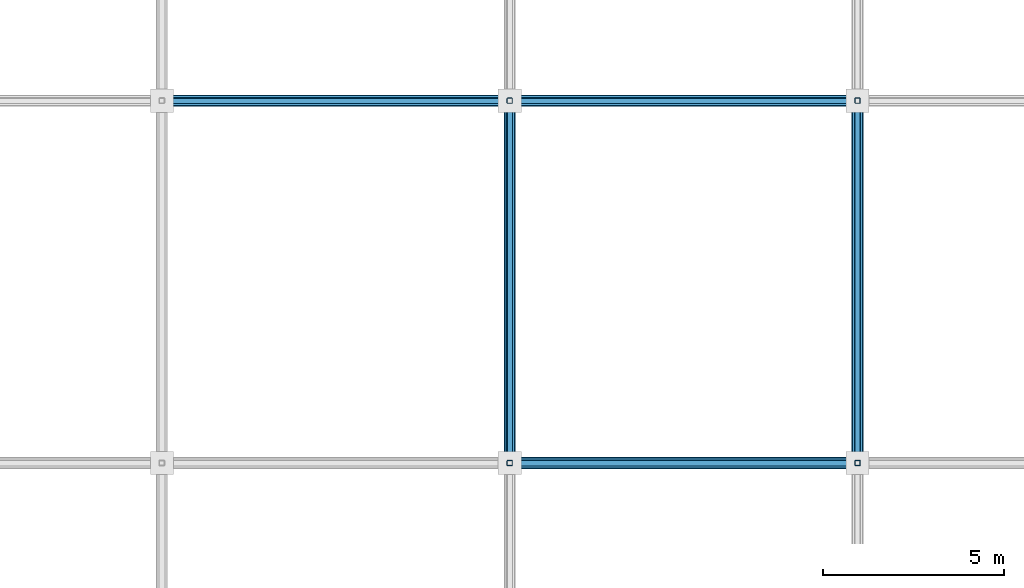
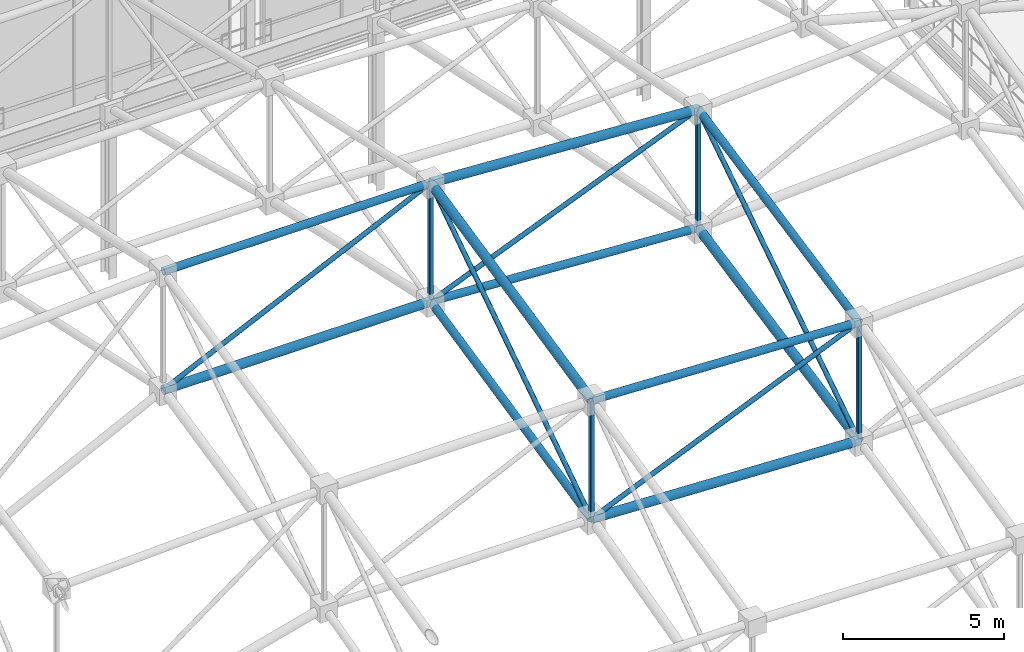
# One storey, part 81 of 193: 19 members.
"""IFC4 building model written with IfcOpenShell, lengths in metres."""

from ifc_helpers import new_model, si_unit, direction, frame, origin, origin_2d, place, context, subcontext, project, spatial, hollow_rectangle, hollow_circle, extrude, material, material_profile, profile_set, type_object, element, save


model = new_model("IFC4")

# Units and contexts
model_context = context("Model", 3, precision=1e-05, world=origin(), true_north=direction((0.0, 1.0)))
body_context = subcontext(model_context, "Body", "Model", "MODEL_VIEW")
ifc_project = project(units=[si_unit("LENGTHUNIT", "METRE"), si_unit("AREAUNIT", "SQUARE_METRE"), si_unit("VOLUMEUNIT", "CUBIC_METRE"), si_unit("PLANEANGLEUNIT", "RADIAN"), si_unit("MASSUNIT", "GRAM", prefix="KILO")], contexts=[model_context])

# Site, building, storey
site_placement = place(None, origin())
site = spatial("IfcSite", under=ifc_project, at=site_placement, CompositionType="ELEMENT")
building_placement = place(site_placement, origin())
building = spatial("IfcBuilding", under=site, at=building_placement, Name="Danafjord Basin Convention Centre", CompositionType="ELEMENT")
storey_placement = place(building_placement, frame((0.0, 0.0, 11.39990234375)))
storey = spatial("IfcBuildingStorey", under=building, at=storey_placement, Name="L02", CompositionType="ELEMENT", Elevation=11.39990234375)

# Members
ifc_material = material(Name="Steel S355", Category="steel")
ifc_material_profile_1 = material_profile(ifc_material, hollow_circle(Radius=0.136474609375, WallThickness=0.012451171875, at=origin_2d()), Name="CHS 273.0x12.5")
ifc_profile_set_1 = profile_set([ifc_material_profile_1], Name="Steel S355")
member_type_1 = type_object("IfcMemberType", Name="MEM-CH-CHS273", PredefinedType="CHORD", material=ifc_profile_set_1)
member_1_placement = place(storey_placement, frame((153.60009765625, 60.0, 15.612548828125), z_axis=(1.0, 0.0, 0.0), x_axis=(0.0, 1.0, 0.0)))
element("IfcMember", 1, at=member_1_placement, inside=storey, type_object=member_type_1, Name="V3 roof truss longitudinal top chord", PredefinedType="CHORD", context=body_context, shape_type="SweptSolid", body=[
    extrude(hollow_circle(Radius=0.136474609375, WallThickness=0.012451171875, at=origin_2d()), origin(), (0.0, 0.0, 1.0), 9.599853515625),
])
member_2_placement = place(storey_placement, frame((163.199951171875, 50.0, 13.427734375), z_axis=(0.999160768255, 0.0, -0.040960458736), x_axis=(0.0, 1.0, 0.0)))
element("IfcMember", 2, at=member_2_placement, inside=storey, type_object=member_type_1, Name="V3 roof truss longitudinal top chord", PredefinedType="CHORD", context=body_context, shape_type="SweptSolid", body=[
    extrude(hollow_circle(Radius=0.136474609375, WallThickness=0.012451171875, at=origin_2d()), origin(), (0.0, 0.0, 1.0), 9.608154296875),
])
member_3_placement = place(storey_placement, frame((163.199951171875, 50.0, 8.927734375), z_axis=(0.0, 0.976954756916, 0.213446487296), x_axis=(-1.0, 0.0, 0.0)))
element("IfcMember", 3, at=member_3_placement, inside=storey, type_object=member_type_1, Name="V3 roof truss transverse bottom chord", PredefinedType="CHORD", context=body_context, shape_type="SweptSolid", body=[
    extrude(hollow_circle(Radius=0.136474609375, WallThickness=0.012451171875, at=origin_2d()), origin(), (0.0, 0.0, 1.0), 10.23583984375),
])
member_4_placement = place(storey_placement, frame((163.199951171875, 60.0, 11.112548828125), z_axis=(0.998287828511, 0.0, -0.058492832432), x_axis=(0.0, 1.0, 0.0)))
element("IfcMember", 4, at=member_4_placement, inside=storey, type_object=member_type_1, Name="V3 roof truss longitudinal bottom chord", PredefinedType="CHORD", context=body_context, shape_type="SweptSolid", body=[
    extrude(hollow_circle(Radius=0.136474609375, WallThickness=0.012451171875, at=origin_2d()), origin(), (0.0, 0.0, 1.0), 9.616455078125),
])
member_5_placement = place(storey_placement, frame((172.800048828125, 50.0, 13.0341796875), z_axis=(0.0, 0.980280377013, 0.197611696118), x_axis=(-1.0, 0.0, 0.0)))
element("IfcMember", 5, at=member_5_placement, inside=storey, type_object=member_type_1, Name="V3 roof truss transverse top chord", PredefinedType="CHORD", context=body_context, shape_type="SweptSolid", body=[
    extrude(hollow_circle(Radius=0.136474609375, WallThickness=0.012451171875, at=origin_2d()), origin(), (0.0, 0.0, 1.0), 10.201171875),
])
ifc_material_profile_2 = material_profile(ifc_material, hollow_circle(Radius=0.161865234375, WallThickness=0.01611328125, at=origin_2d()), Name="CHS 323.9x16.0")
ifc_profile_set_2 = profile_set([ifc_material_profile_2], Name="Steel S355")
member_type_2 = type_object("IfcMemberType", Name="MEM-CH-CHS324", PredefinedType="CHORD", material=ifc_profile_set_2)
member_6_placement = place(storey_placement, frame((153.60009765625, 60.0, 11.112548828125), z_axis=(1.0, 0.0, 0.0), x_axis=(0.0, 1.0, 0.0)))
element("IfcMember", 6, at=member_6_placement, inside=storey, type_object=member_type_2, Name="V3 roof truss longitudinal bottom chord", PredefinedType="CHORD", context=body_context, shape_type="SweptSolid", body=[
    extrude(hollow_circle(Radius=0.161865234375, WallThickness=0.01611328125, at=origin_2d()), origin(), (0.0, 0.0, 1.0), 9.599853515625),
])
member_7_placement = place(storey_placement, frame((163.199951171875, 50.0, 8.927734375), z_axis=(0.999160768255, 0.0, -0.040960458736), x_axis=(0.0, 1.0, 0.0)))
element("IfcMember", 7, at=member_7_placement, inside=storey, type_object=member_type_2, Name="V3 roof truss longitudinal bottom chord", PredefinedType="CHORD", context=body_context, shape_type="SweptSolid", body=[
    extrude(hollow_circle(Radius=0.161865234375, WallThickness=0.01611328125, at=origin_2d()), origin(), (0.0, 0.0, 1.0), 9.608154296875),
])
member_8_placement = place(storey_placement, frame((163.199951171875, 50.0, 13.427734375), z_axis=(0.0, 0.976954756916, 0.213446487296), x_axis=(-1.0, 0.0, 0.0)))
element("IfcMember", 8, at=member_8_placement, inside=storey, type_object=member_type_2, Name="V3 roof truss transverse top chord", PredefinedType="CHORD", context=body_context, shape_type="SweptSolid", body=[
    extrude(hollow_circle(Radius=0.161865234375, WallThickness=0.01611328125, at=origin_2d()), origin(), (0.0, 0.0, 1.0), 10.23583984375),
])
member_9_placement = place(storey_placement, frame((163.199951171875, 60.0, 15.612548828125), z_axis=(0.998287828511, 0.0, -0.058492832432), x_axis=(0.0, 1.0, 0.0)))
element("IfcMember", 9, at=member_9_placement, inside=storey, type_object=member_type_2, Name="V3 roof truss longitudinal top chord", PredefinedType="CHORD", context=body_context, shape_type="SweptSolid", body=[
    extrude(hollow_circle(Radius=0.161865234375, WallThickness=0.01611328125, at=origin_2d()), origin(), (0.0, 0.0, 1.0), 9.616455078125),
])
member_10_placement = place(storey_placement, frame((172.800048828125, 50.0, 8.5341796875), z_axis=(0.0, 0.980280377013, 0.197611696118), x_axis=(-1.0, 0.0, 0.0)))
element("IfcMember", 10, at=member_10_placement, inside=storey, type_object=member_type_2, Name="V3 roof truss transverse bottom chord", PredefinedType="CHORD", context=body_context, shape_type="SweptSolid", body=[
    extrude(hollow_circle(Radius=0.161865234375, WallThickness=0.01611328125, at=origin_2d()), origin(), (0.0, 0.0, 1.0), 10.201171875),
])
ifc_material_profile_3 = material_profile(ifc_material, hollow_rectangle(XDim=0.14990234375, YDim=0.14990234375, WallThickness=0.008056640625, InnerFilletRadius=0.011962890625, OuterFilletRadius=0.02001953125, at=origin_2d()), Name="SHS 150x150x8.0")
ifc_profile_set_3 = profile_set([ifc_material_profile_3], Name="Steel S355")
member_type_3 = type_object("IfcMemberType", Name="MEM-ST-SHS150", PredefinedType="STRUT", material=ifc_profile_set_3)
for number, where, z_axis, x_axis, name in (
    (11, (163.199951171875, 50.0, 8.927734375), (0.0, 0.0, 1.0), (1.0, 0.0, 0.0), "V3 roof truss vertical strut"),
    (12, (163.199951171875, 60.0, 11.112548828125), (0.0, 0.0, 1.0), (1.0, 0.0, 0.0), "V3 roof truss vertical strut"),
    (13, (172.800048828125, 50.0, 8.5341796875), (0.0, 0.0, 1.0), (1.0, 0.0, 0.0), "V3 roof truss vertical strut"),
    (14, (172.800048828125, 60.0, 10.550048828125), (0.0, 0.0, 1.0), (1.0, 0.0, 0.0), "V3 roof truss vertical strut"),
):
    element("IfcMember", number, at=place(storey_placement, frame(where, z_axis=z_axis, x_axis=x_axis)), inside=storey, type_object=member_type_3, Name=name, PredefinedType="STRUT", context=body_context, shape_type="SweptSolid", body=[
        extrude(hollow_rectangle(XDim=0.14990234375, YDim=0.14990234375, WallThickness=0.008056640625, InnerFilletRadius=0.011962890625, OuterFilletRadius=0.02001953125, at=origin_2d()), origin(), (0.0, 0.0, 1.0), 4.5),
    ])
ifc_material_profile_4 = material_profile(ifc_material, hollow_circle(Radius=0.084228515625, WallThickness=0.008056640625, at=origin_2d()), Name="CHS 168.3x8.0")
ifc_profile_set_4 = profile_set([ifc_material_profile_4], Name="Steel S355")
member_type_4 = type_object("IfcMemberType", Name="MEM-WB-CHS168", PredefinedType="MEMBER", material=ifc_profile_set_4)
member_11_placement = place(storey_placement, frame((153.60009765625, 60.0, 11.112548828125), z_axis=(0.905456447004, 0.0, 0.424439185961), x_axis=(0.0, 1.0, 0.0)))
element("IfcMember", 15, at=member_11_placement, inside=storey, type_object=member_type_4, Name="V3 space-frame longitudinal web", PredefinedType="MEMBER", context=body_context, shape_type="SweptSolid", body=[
    extrude(hollow_circle(Radius=0.084228515625, WallThickness=0.008056640625, at=origin_2d()), origin(), (0.0, 0.0, 1.0), 10.602294921875),
])
member_12_placement = place(storey_placement, frame((163.199951171875, 50.0, 8.927734375), z_axis=(0.919418133641, 0.0, 0.393281445701), x_axis=(0.0, 1.0, 0.0)))
element("IfcMember", 16, at=member_12_placement, inside=storey, type_object=member_type_4, Name="V3 space-frame longitudinal web", PredefinedType="MEMBER", context=body_context, shape_type="SweptSolid", body=[
    extrude(hollow_circle(Radius=0.084228515625, WallThickness=0.008056640625, at=origin_2d()), origin(), (0.0, 0.0, 1.0), 10.44140625),
])
member_13_placement = place(storey_placement, frame((163.199951171875, 50.0, 8.927734375), z_axis=(0.0, 0.831353305405, 0.555744259163), x_axis=(-1.0, 0.0, 0.0)))
element("IfcMember", 17, at=member_13_placement, inside=storey, type_object=member_type_4, Name="V3 space-frame transverse web", PredefinedType="MEMBER", context=body_context, shape_type="SweptSolid", body=[
    extrude(hollow_circle(Radius=0.084228515625, WallThickness=0.008056640625, at=origin_2d()), origin(), (0.0, 0.0, 1.0), 12.028564453125),
])
member_14_placement = place(storey_placement, frame((163.199951171875, 60.0, 11.112548828125), z_axis=(0.925202511098, 0.0, 0.379473732236), x_axis=(0.0, 1.0, 0.0)))
element("IfcMember", 18, at=member_14_placement, inside=storey, type_object=member_type_4, Name="V3 space-frame longitudinal web", PredefinedType="MEMBER", context=body_context, shape_type="SweptSolid", body=[
    extrude(hollow_circle(Radius=0.084228515625, WallThickness=0.008056640625, at=origin_2d()), origin(), (0.0, 0.0, 1.0), 10.376220703125),
])
member_15_placement = place(storey_placement, frame((172.800048828125, 50.0, 8.5341796875), z_axis=(0.0, 0.837835557563, 0.545922685444), x_axis=(-1.0, 0.0, 0.0)))
element("IfcMember", 19, at=member_15_placement, inside=storey, type_object=member_type_4, Name="V3 space-frame transverse web", PredefinedType="MEMBER", context=body_context, shape_type="SweptSolid", body=[
    extrude(hollow_circle(Radius=0.084228515625, WallThickness=0.008056640625, at=origin_2d()), origin(), (0.0, 0.0, 1.0), 11.935546875),
])

save(model, "model.ifc")
